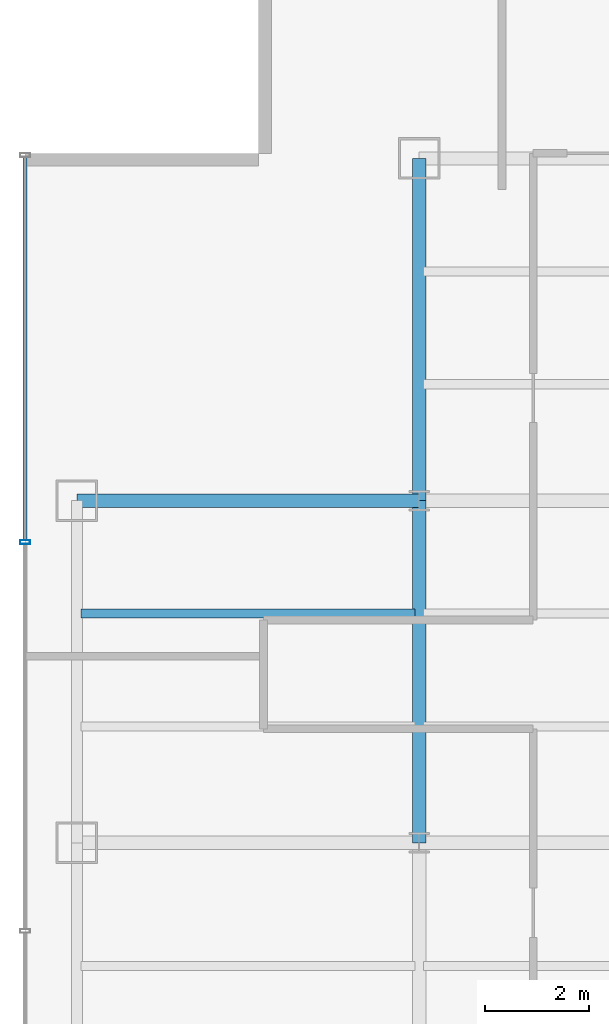
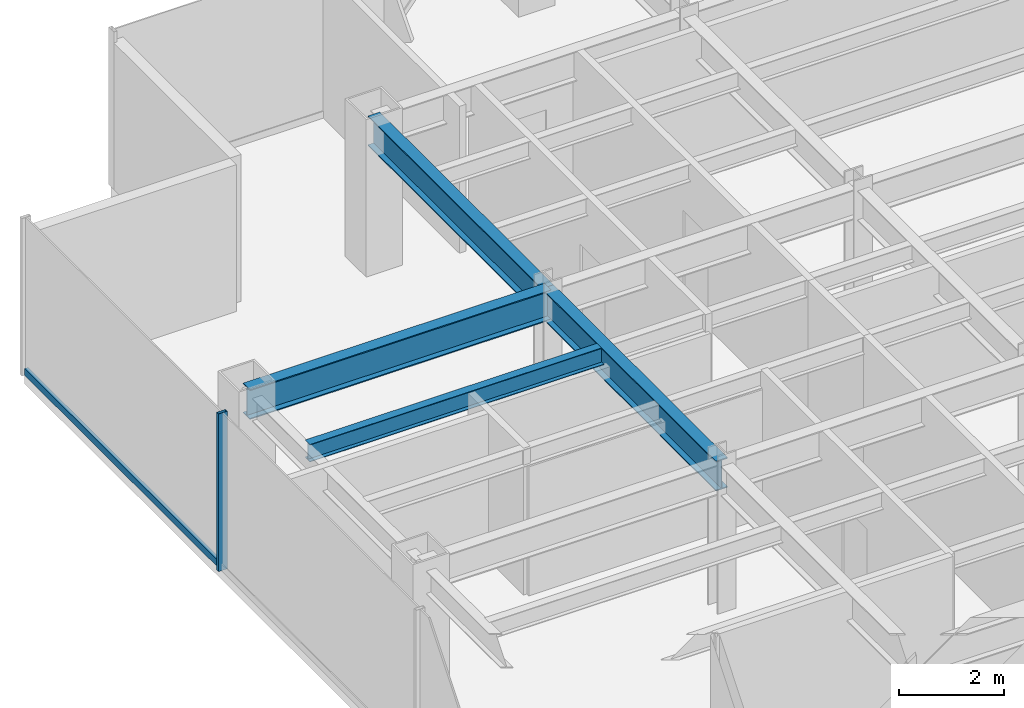
# One storey, part 6 of 25: 4 beams, 2 members, 1 element without a shape of its own.
"""IFC4 building model written with IfcOpenShell, lengths in metres."""

from ifc_helpers import new_model, si_unit, derived_unit, direction, frame, origin, origin_2d, place, context, subcontext, project, spatial, hollow_rectangle, i_section, extrude, source, transform, mapped, material, material_profile, profile_set, type_object, element, aggregate, save


model = new_model("IFC4")

# Units and contexts
model_context = context("Model", 3, precision=1e-05, world=origin(), true_north=direction((0.0, 1.0)))
body_context = subcontext(model_context, "Body", "Model", "MODEL_VIEW")
ifc_project = project(units=[si_unit("LENGTHUNIT", "METRE"), si_unit("AREAUNIT", "SQUARE_METRE"), si_unit("VOLUMEUNIT", "CUBIC_METRE"), si_unit("PLANEANGLEUNIT", "RADIAN"), si_unit("MASSUNIT", "GRAM", prefix="KILO"), derived_unit("THERMALTRANSMITTANCEUNIT", [(si_unit("POWERUNIT", "WATT"), 1), (si_unit("LENGTHUNIT", "METRE"), -2), (si_unit("THERMODYNAMICTEMPERATUREUNIT", "KELVIN"), -1)])], contexts=[model_context])

# Site, building, storey
site_placement = place(None, origin())
site = spatial("IfcSite", under=ifc_project, at=site_placement, CompositionType="ELEMENT")
building_placement = place(site_placement, origin())
building = spatial("IfcBuilding", under=site, at=building_placement, Name="Skarnbrae Concourse Arena and Tower", CompositionType="ELEMENT")
storey_placement = place(building_placement, frame((0.0, 0.0, 88.64990234375)))
storey = spatial("IfcBuildingStorey", under=building, at=storey_placement, Name="L21", CompositionType="ELEMENT", Elevation=88.64990234375)

# Beams
ifc_material_1 = material(Name="Steel CSA G40.21 350W", Category="steel")
ifc_material_profile_1 = material_profile(ifc_material_1, i_section(OverallWidth=0.256103515625, OverallDepth=0.693115234375, WebThickness=0.014404296875, FlangeThickness=0.023681640625, at=origin_2d()), Name="W690X170")
ifc_profile_set_1 = profile_set([ifc_material_profile_1], Name="Steel CSA G40.21 350W")
beam_type_1 = type_object("IfcBeamType", Name="BM-GIRD-W690X170", PredefinedType="BEAM", material=ifc_profile_set_1)
shared_shape_1 = source(origin(), body_context, "Body", "SweptSolid", [
    extrude(i_section(OverallWidth=0.256103515625, OverallDepth=0.693115234375, WebThickness=0.014404296875, FlangeThickness=0.023681640625, at=origin_2d()), origin(), (0.0, 0.0, 1.0), 6.60009765625),
])
for number, where, z_axis, x_axis, name in (
    (1, (1.0, 27.800048828125, 3.0537109375), (1.0, 0.0, 0.0), (0.0, 1.0, 0.0), "L21 Primary E-W girder Y27.8-1"),
    (2, (7.60009765625, 21.199951171875, 3.0537109375), (0.0, 1.0, 0.0), (-1.0, 0.0, 0.0), "L21 Primary N-S girder X7.6-2"),
):
    element("IfcBeam", number, at=place(storey_placement, frame(where, z_axis=z_axis, x_axis=x_axis)), inside=storey, type_object=beam_type_1, Name=name, PredefinedType="BEAM", context=body_context, shape_type="MappedRepresentation", body=[
        mapped(shared_shape_1, transform((0.0, 0.0, 0.0))),
    ])
shared_shape_2 = source(origin(), body_context, "Body", "SweptSolid", [
    extrude(i_section(OverallWidth=0.256103515625, OverallDepth=0.693115234375, WebThickness=0.014404296875, FlangeThickness=0.023681640625, at=origin_2d()), origin(), (0.0, 0.0, 1.0), 6.599853515625),
])
beam_1_placement = place(storey_placement, frame((7.60009765625, 27.800048828125, 3.0537109375), z_axis=(0.0, 1.0, 0.0), x_axis=(-1.0, 0.0, 0.0)))
element("IfcBeam", 3, at=beam_1_placement, inside=storey, type_object=beam_type_1, Name="L21 Primary N-S girder X7.6-3", PredefinedType="BEAM", context=body_context, shape_type="MappedRepresentation", body=[
    mapped(shared_shape_2, transform((0.0, 0.0, 0.0))),
])
ifc_material_profile_2 = material_profile(ifc_material_1, i_section(OverallWidth=0.177978515625, OverallDepth=0.406982421875, WebThickness=0.0078125, FlangeThickness=0.0126953125, at=origin_2d()), Name="W410X60")
ifc_profile_set_2 = profile_set([ifc_material_profile_2], Name="Steel CSA G40.21 350W")
beam_type_2 = type_object("IfcBeamType", Name="BM-JOIST-W410X60", PredefinedType="JOIST", material=ifc_profile_set_2)
shared_shape_3 = source(origin(), body_context, "Body", "SweptSolid", [
    extrude(i_section(OverallWidth=0.177978515625, OverallDepth=0.406982421875, WebThickness=0.0078125, FlangeThickness=0.0126953125, at=origin_2d()), origin(), (0.0, 0.0, 1.0), 6.43994140625),
])
beam_2_placement = place(storey_placement, frame((1.080078125, 25.6220703125, 3.196533203125), z_axis=(1.0, 0.0, 0.0), x_axis=(0.0, 1.0, 0.0)))
element("IfcBeam", 4, at=beam_2_placement, inside=storey, type_object=beam_type_2, Name="L21 Secondary floor joist 2.2.1", PredefinedType="JOIST", context=body_context, shape_type="MappedRepresentation", body=[
    mapped(shared_shape_3, transform((0.0, 0.0, 0.0))),
])

# Curtain wall, members
ifc_material_2 = material(Name="Bronze anodised aluminium 6063-T6", Category="aluminium")
curtain_wall_type = type_object("IfcCurtainWallType", Name="CW-SYS-04-MIDZONE", PredefinedType="USERDEFINED", material=ifc_material_2)
curtain_wall_placement = place(storey_placement, origin())
curtain_wall = element("IfcCurtainWall", 5, at=curtain_wall_placement, inside=storey, type_object=curtain_wall_type, Name="L21 Unitised curtain wall CW-L21-E19", ObjectType="UNITISED CURTAIN WALL", PredefinedType="USERDEFINED")
ifc_material_profile_3 = material_profile(ifc_material_2, hollow_rectangle(XDim=0.074951171875, YDim=0.195068359375, WallThickness=0.00439453125, at=origin_2d()), Name="ALU-MULL-75X195")
ifc_profile_set_3 = profile_set([ifc_material_profile_3], Name="Bronze anodised aluminium 6063-T6")
member_type_1 = type_object("IfcMemberType", Name="CWM-CW-04", PredefinedType="MULLION", material=ifc_profile_set_3)
shared_shape_4 = source(origin(), body_context, "Body", "SweptSolid", [
    extrude(hollow_rectangle(XDim=0.074951171875, YDim=0.195068359375, WallThickness=0.00439453125, at=origin_2d()), origin(), (0.0, 0.0, 1.0), 3.650146484375),
])
member_1_placement = place(storey_placement, frame((0.0, 27.0, 0.0), z_axis=(0.0, 0.0, 1.0), x_axis=(0.0, -1.0, 0.0)))
member_1 = element("IfcMember", 6, at=member_1_placement, type_object=member_type_1, Name="CW-L21-E19 Mullion 2", PredefinedType="MULLION", context=body_context, shape_type="MappedRepresentation", body=[
    mapped(shared_shape_4, transform((0.0, 0.0, 0.0))),
])
ifc_material_profile_4 = material_profile(ifc_material_2, hollow_rectangle(XDim=0.074951171875, YDim=0.159912109375, WallThickness=0.00439453125, at=origin_2d()), Name="ALU-TRAN-75X160")
ifc_profile_set_4 = profile_set([ifc_material_profile_4], Name="Bronze anodised aluminium 6063-T6")
member_type_2 = type_object("IfcMemberType", Name="CWT-CW-04", PredefinedType="USERDEFINED", material=ifc_profile_set_4)
shared_shape_5 = source(origin(), body_context, "Body", "SweptSolid", [
    extrude(hollow_rectangle(XDim=0.074951171875, YDim=0.159912109375, WallThickness=0.00439453125, at=origin_2d()), origin(), (0.0, 0.0, 1.0), 7.387451171875),
])
member_2_placement = place(storey_placement, frame((0.0, 34.425048828125, 0.080078125), z_axis=(0.0, -1.0, 0.0), x_axis=(1.0, 0.0, 0.0)))
member_2 = element("IfcMember", 7, at=member_2_placement, type_object=member_type_2, Name="CW-L21-E19 Transom 1", ObjectType="TRANSOM", PredefinedType="USERDEFINED", context=body_context, shape_type="MappedRepresentation", body=[
    mapped(shared_shape_5, transform((0.0, 0.0, 0.0))),
])
aggregate(curtain_wall, [member_1, member_2])

save(model, "model.ifc")
